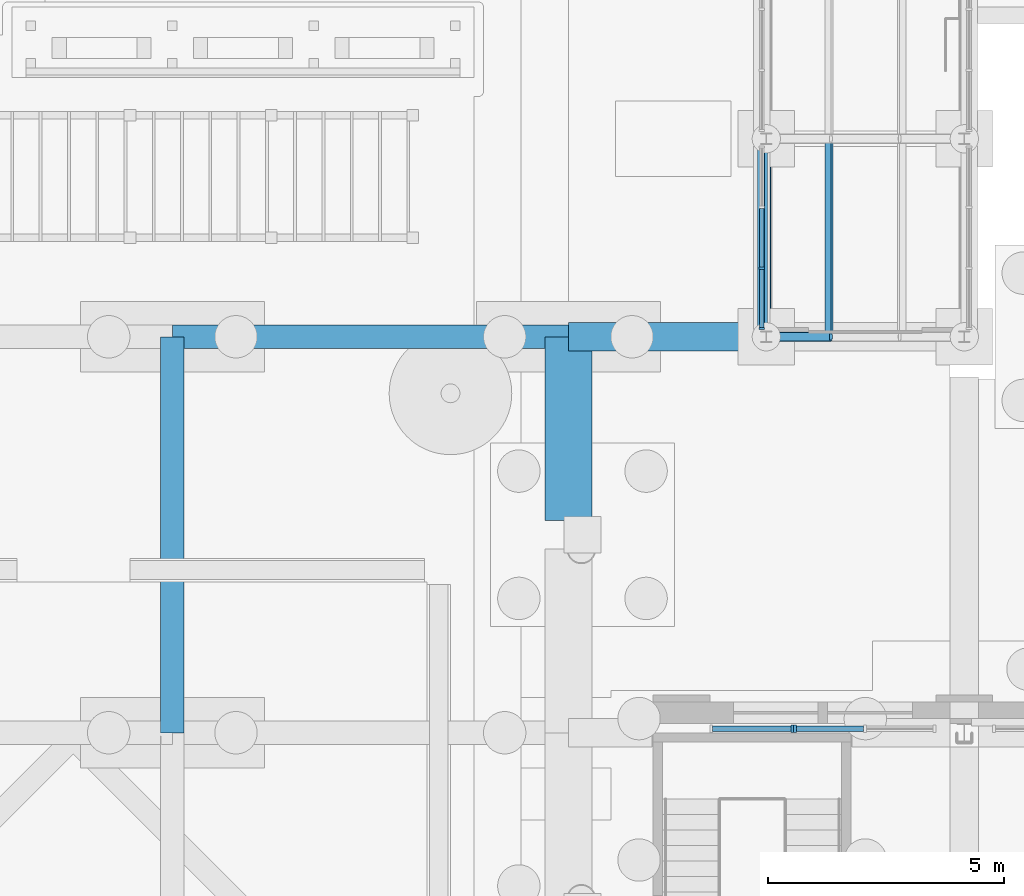
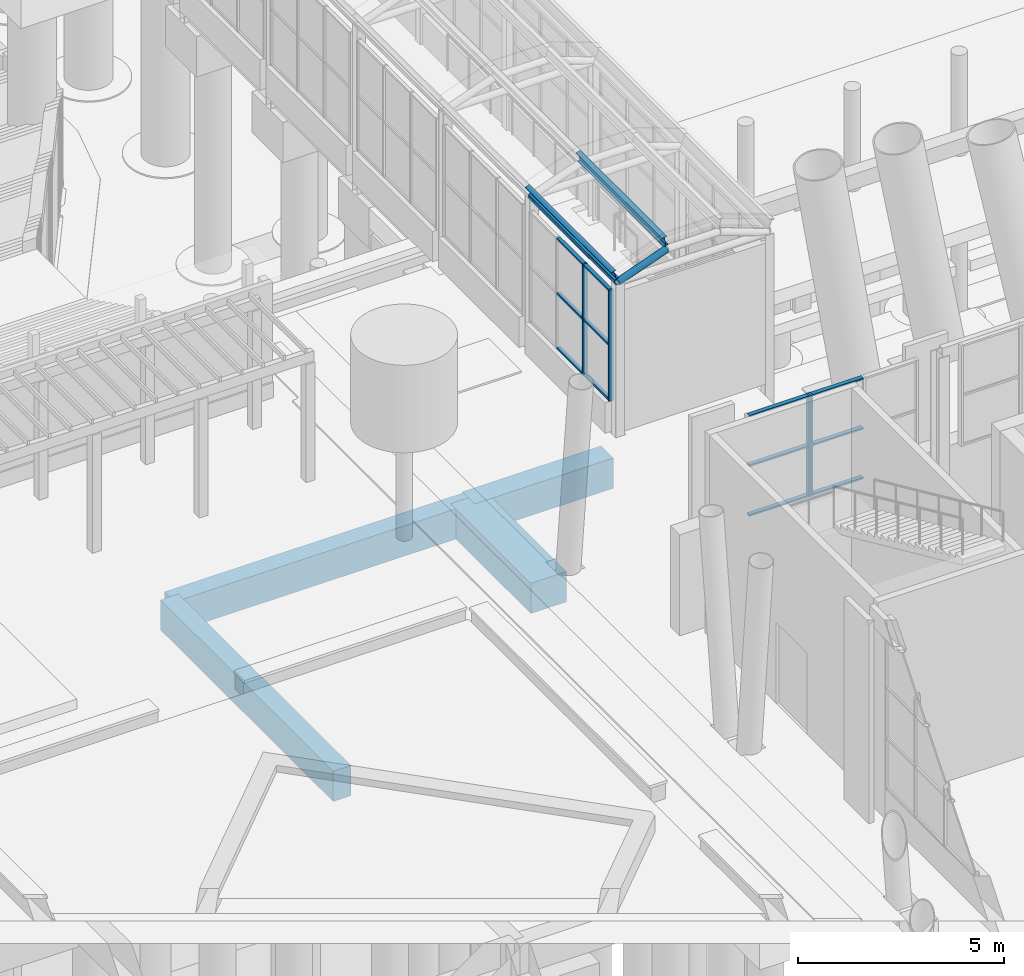
# One storey, part 49 of 222: 18 members, 6 beams, 3 elements without a shape of their own.
"""IFC4 building model written with IfcOpenShell, lengths in metres."""

from ifc_helpers import new_model, si_unit, direction, frame, origin, origin_2d, place, context, subcontext, project, spatial, rectangle, hollow_circle, i_section, extrude, material, material_profile, profile_set, type_object, element, aggregate, save


model = new_model("IFC4")

# Units and contexts
model_context = context("Model", 3, precision=1e-05, world=origin(), true_north=direction((0.0, 1.0)))
body_context = subcontext(model_context, "Body", "Model", "MODEL_VIEW")
ifc_project = project(units=[si_unit("LENGTHUNIT", "METRE"), si_unit("AREAUNIT", "SQUARE_METRE"), si_unit("VOLUMEUNIT", "CUBIC_METRE"), si_unit("PLANEANGLEUNIT", "RADIAN"), si_unit("MASSUNIT", "GRAM", prefix="KILO")], contexts=[model_context])

# Site, building, storey
site_placement = place(None, origin())
site = spatial("IfcSite", under=ifc_project, at=site_placement, CompositionType="ELEMENT")
building_placement = place(site_placement, origin())
building = spatial("IfcBuilding", under=site, at=building_placement, Name="Sava Quay Ferry Terminal", CompositionType="ELEMENT")
storey_placement = place(building_placement, origin())
storey = spatial("IfcBuildingStorey", under=building, at=storey_placement, Name="L00", CompositionType="ELEMENT", Elevation=0.0)

# Beam
ifc_material_1 = material(Name="Steel S355", Category="steel")
ifc_material_profile_1 = material_profile(ifc_material_1, hollow_circle(Radius=0.096923828125, WallThickness=0.008056640625, at=origin_2d()), Name="CHS 193.7 x 8.0")
ifc_profile_set_1 = profile_set([ifc_material_profile_1], Name="Steel S355")
beam_type_1 = type_object("IfcBeamType", Name="Gallery eave beam CHS 193.7x8", PredefinedType="BEAM", material=ifc_profile_set_1)
beam_1_placement = place(storey_placement, frame((46.199951171875, 109.199951171875, 4.5), z_axis=(0.0, 1.0, 0.0), x_axis=(-1.0, 0.0, 0.0)))
element("IfcBeam", 1, at=beam_1_placement, inside=storey, type_object=beam_type_1, Name="Boarding gallery B1 eave beam L1", PredefinedType="BEAM", context=body_context, shape_type="SweptSolid", body=[
    extrude(hollow_circle(Radius=0.096923828125, WallThickness=0.008056640625, at=origin_2d()), origin(), (0.0, 0.0, 1.0), 4.199951171875),
])

# Members
ifc_material_2 = material(Name="Steel S355", Category="steel")
ifc_material_profile_2 = material_profile(ifc_material_2, i_section(OverallWidth=0.135009765625, OverallDepth=0.27001953125, WebThickness=0.006591796875, FlangeThickness=0.01025390625, at=origin_2d()), Name="IPE 270")
ifc_profile_set_2 = profile_set([ifc_material_profile_2], Name="Steel S355")
member_type_1 = type_object("IfcMemberType", Name="Gallery purlin IPE 270", PredefinedType="PURLIN", material=ifc_profile_set_2)
for number, where, z_axis, x_axis, name in (
    (2, (46.12060546875, 109.199951171875, 4.718017578125), (0.0, 1.0, 0.0), (-0.939692620786, 0.0, -0.342020143326), "Boarding gallery B1 edge purlin bay 1 V0"),
    (3, (47.52978515625, 109.199951171875, 5.230712890625), (0.0, 1.0, 0.0), (-0.984807753012, 0.0, -0.173648177667), "Boarding gallery B1 purlin bay 1 V1"),
):
    element("IfcMember", number, at=place(storey_placement, frame(where, z_axis=z_axis, x_axis=x_axis)), inside=storey, type_object=member_type_1, Name=name, PredefinedType="PURLIN", context=body_context, shape_type="SweptSolid", body=[
        extrude(i_section(OverallWidth=0.135009765625, OverallDepth=0.27001953125, WebThickness=0.006591796875, FlangeThickness=0.01025390625, at=origin_2d()), origin(), (0.0, 0.0, 1.0), 4.199951171875),
    ])

# Beam
ifc_material_3 = material(Name="Steel S355", Category="steel")
ifc_material_profile_3 = material_profile(ifc_material_3, hollow_circle(Radius=0.096923828125, WallThickness=0.008056640625, at=origin_2d()), Name="CHS 193.7 x 8.0")
ifc_profile_set_3 = profile_set([ifc_material_profile_3], Name="Steel S355")
beam_type_2 = type_object("IfcBeamType", Name="Gallery rib CHS 193.7x8", PredefinedType="BEAM", material=ifc_profile_set_3)
beam_2_placement = place(storey_placement, frame((46.199951171875, 109.199951171875, 4.5), z_axis=(0.939710313144, 0.0, 0.341971530059), x_axis=(0.0, 1.0, 0.0)))
element("IfcBeam", 4, at=beam_2_placement, inside=storey, type_object=beam_type_2, Name="Boarding gallery B1 arch rib R0 seg 1", PredefinedType="BEAM", context=body_context, shape_type="SweptSolid", body=[
    extrude(hollow_circle(Radius=0.096923828125, WallThickness=0.008056640625, at=origin_2d()), origin(), (0.0, 0.0, 1.0), 1.45849609375),
])

# Curtain wall, members
ifc_material_4 = material(Name="Aluminium and glass curtain wall, double glazed", Category="aluminium")
curtain_wall_type_1 = type_object("IfcCurtainWallType", Name="Curtain wall CW-B gallery", PredefinedType="NOTDEFINED", material=ifc_material_4)
curtain_wall_1_placement = place(storey_placement, origin())
curtain_wall_1 = element("IfcCurtainWall", 5, at=curtain_wall_1_placement, inside=storey, type_object=curtain_wall_type_1, Name="Curtain wall B1-W L00 bay 1", PredefinedType="NOTDEFINED")
ifc_material_5 = material(Name="Aluminium EN AW-6063 T6", Category="aluminium")
ifc_material_profile_4 = material_profile(ifc_material_5, rectangle(XDim=0.1201171875, YDim=0.050048828125, at=origin_2d()), Name="Mullion 50x120 aluminium")
ifc_profile_set_4 = profile_set([ifc_material_profile_4], Name="Aluminium EN AW-6063 T6")
member_type_2 = type_object("IfcMemberType", Name="Mullion 50x120 aluminium", PredefinedType="MULLION", material=ifc_profile_set_4)
member_1_placement = place(storey_placement, frame((46.10009765625, 109.375, 0.89990234375), z_axis=(0.0, 0.0, 1.0), x_axis=(-1.0, 0.0, 0.0)))
member_1 = element("IfcMember", 6, at=member_1_placement, type_object=member_type_2, Name="CW13 mullion 1", PredefinedType="MULLION", context=body_context, shape_type="SweptSolid", body=[
    extrude(rectangle(XDim=0.1201171875, YDim=0.050048828125, at=origin_2d()), origin(), (0.0, 0.0, 1.0), 3.300048828125),
])
member_2_placement = place(storey_placement, frame((46.10009765625, 110.64990234375, 0.89990234375), z_axis=(0.0, 0.0, 1.0), x_axis=(-1.0, 0.0, 0.0)))
member_2 = element("IfcMember", 7, at=member_2_placement, type_object=member_type_2, Name="CW13 mullion 2", PredefinedType="MULLION", context=body_context, shape_type="SweptSolid", body=[
    extrude(rectangle(XDim=0.1201171875, YDim=0.050048828125, at=origin_2d()), origin(), (0.0, 0.0, 1.0), 3.300048828125),
])

# Curtain wall, member
ifc_material_6 = material(Name="Aluminium and glass curtain wall, double low-e glazed", Category="aluminium")
curtain_wall_type_2 = type_object("IfcCurtainWallType", Name="Curtain wall CW-G gable", PredefinedType="NOTDEFINED", material=ifc_material_6)
curtain_wall_2_placement = place(storey_placement, origin())
curtain_wall_2 = element("IfcCurtainWall", 8, at=curtain_wall_2_placement, inside=storey, type_object=curtain_wall_type_2, Name="Curtain wall D-N L00 bay 1", PredefinedType="NOTDEFINED")
ifc_material_7 = material(Name="Aluminium EN AW-6063 T6", Category="aluminium")
ifc_material_profile_5 = material_profile(ifc_material_7, rectangle(XDim=0.14990234375, YDim=0.06005859375, at=origin_2d()), Name="Mullion 60x150 aluminium")
ifc_profile_set_5 = profile_set([ifc_material_profile_5], Name="Aluminium EN AW-6063 T6")
member_type_3 = type_object("IfcMemberType", Name="Mullion 60x150 aluminium", PredefinedType="MULLION", material=ifc_profile_set_5)
member_3_placement = place(storey_placement, frame((46.75, 100.885009765625, 3.0), z_axis=(0.0, 0.0, 1.0), x_axis=(0.0, 1.0, 0.0)))
member_3 = element("IfcMember", 9, at=member_3_placement, type_object=member_type_3, Name="CW54 mullion 2", PredefinedType="MULLION", context=body_context, shape_type="SweptSolid", body=[
    extrude(rectangle(XDim=0.14990234375, YDim=0.06005859375, at=origin_2d()), origin(), (0.0, 0.0, 1.0), 3.0),
])

curtain_wall_3_placement = place(storey_placement, origin())
curtain_wall_3 = element("IfcCurtainWall", 10, at=curtain_wall_3_placement, inside=storey, type_object=curtain_wall_type_2, Name="Curtain wall D-N L00 bay 11", PredefinedType="NOTDEFINED")
member_4_placement = place(storey_placement, frame((46.81005859375, 100.885009765625, 3.0), z_axis=(0.0, 0.0, 1.0), x_axis=(0.0, 1.0, 0.0)))
member_4 = element("IfcMember", 11, at=member_4_placement, type_object=member_type_3, Name="CW57 mullion 1", PredefinedType="MULLION", context=body_context, shape_type="SweptSolid", body=[
    extrude(rectangle(XDim=0.14990234375, YDim=0.06005859375, at=origin_2d()), origin(), (0.0, 0.0, 1.0), 3.0),
])

# Beams
ifc_material_8 = material(Name="Concrete C40/50", Category="concrete")
ifc_material_profile_6 = material_profile(ifc_material_8, rectangle(XDim=1.0, YDim=0.89990234375, at=origin_2d()), Name="RC 1000x900")
ifc_profile_set_6 = profile_set([ifc_material_profile_6], Name="Concrete C40/50")
beam_type_3 = type_object("IfcBeamType", Name="RC deck beam 1000x900", PredefinedType="BEAM", material=ifc_profile_set_6)
beam_3_placement = place(storey_placement, frame((42.0, 105.300048828125, -0.89990234375), z_axis=(0.0, 1.0, 0.0), x_axis=(-1.0, 0.0, 0.0)))
element("IfcBeam", 12, at=beam_3_placement, inside=storey, type_object=beam_type_3, Name="Deck beam Y42-100.8", PredefinedType="BEAM", context=body_context, shape_type="SweptSolid", body=[
    extrude(rectangle(XDim=1.0, YDim=0.89990234375, at=origin_2d()), origin(), (0.0, 0.0, 1.0), 3.89990234375),
])
ifc_material_9 = material(Name="Concrete C40/50", Category="concrete")
ifc_material_profile_7 = material_profile(ifc_material_9, rectangle(XDim=0.5, YDim=0.89990234375, at=origin_2d()), Name="RC 500x900")
ifc_profile_set_7 = profile_set([ifc_material_profile_7], Name="Concrete C40/50")
beam_type_4 = type_object("IfcBeamType", Name="RC deck beam 500x900", PredefinedType="BEAM", material=ifc_profile_set_7)
for number, where, z_axis, x_axis, name in (
    (13, (33.60009765625, 109.199951171875, -0.89990234375), (1.0, 0.0, 0.0), (0.0, 1.0, 0.0), "Deck beam X109.2-33.6"),
    (14, (33.60009765625, 100.800048828125, -0.89990234375), (0.0, 1.0, 0.0), (-1.0, 0.0, 0.0), "Deck beam Y33.6-100.8"),
):
    element("IfcBeam", number, at=place(storey_placement, frame(where, z_axis=z_axis, x_axis=x_axis)), inside=storey, type_object=beam_type_4, Name=name, PredefinedType="BEAM", context=body_context, shape_type="SweptSolid", body=[
        extrude(rectangle(XDim=0.5, YDim=0.89990234375, at=origin_2d()), origin(), (0.0, 0.0, 1.0), 8.39990234375),
    ])
ifc_material_10 = material(Name="Concrete C40/50", Category="concrete")
ifc_material_profile_8 = material_profile(ifc_material_10, rectangle(XDim=0.60009765625, YDim=0.89990234375, at=origin_2d()), Name="RC 600x900")
ifc_profile_set_8 = profile_set([ifc_material_profile_8], Name="Concrete C40/50")
beam_type_5 = type_object("IfcBeamType", Name="RC deck beam 600x900", PredefinedType="BEAM", material=ifc_profile_set_8)
beam_4_placement = place(storey_placement, frame((42.0, 109.199951171875, -0.89990234375), z_axis=(1.0, 0.0, 0.0), x_axis=(0.0, 1.0, 0.0)))
element("IfcBeam", 15, at=beam_4_placement, inside=storey, type_object=beam_type_5, Name="Deck beam X109.2-42", PredefinedType="BEAM", context=body_context, shape_type="SweptSolid", body=[
    extrude(rectangle(XDim=0.60009765625, YDim=0.89990234375, at=origin_2d()), origin(), (0.0, 0.0, 1.0), 3.89990234375),
])

# Member
ifc_material_11 = material(Name="Aluminium EN AW-6063 T6", Category="aluminium")
ifc_material_profile_9 = material_profile(ifc_material_11, rectangle(XDim=0.10009765625, YDim=0.050048828125, at=origin_2d()), Name="Transom 50x100 aluminium")
ifc_profile_set_9 = profile_set([ifc_material_profile_9], Name="Aluminium EN AW-6063 T6")
member_type_4 = type_object("IfcMemberType", Name="Transom 50x100 aluminium", PredefinedType="USERDEFINED", material=ifc_profile_set_9)
member_5_placement = place(storey_placement, frame((46.10009765625, 109.39990234375, 0.925048828125), z_axis=(0.0, 1.0, 0.0), x_axis=(-1.0, 0.0, 0.0)))
member_5 = element("IfcMember", 16, at=member_5_placement, type_object=member_type_4, Name="CW13 transom 1.1", ObjectType="TRANSOM", PredefinedType="USERDEFINED", context=body_context, shape_type="SweptSolid", body=[
    extrude(rectangle(XDim=0.10009765625, YDim=0.050048828125, at=origin_2d()), origin(), (0.0, 0.0, 1.0), 1.22509765625),
])

member_6_placement = place(storey_placement, frame((46.10009765625, 109.39990234375, 2.550048828125), z_axis=(0.0, 1.0, 0.0), x_axis=(-1.0, 0.0, 0.0)))
member_6 = element("IfcMember", 17, at=member_6_placement, type_object=member_type_4, Name="CW13 transom 1.2", ObjectType="TRANSOM", PredefinedType="USERDEFINED", context=body_context, shape_type="SweptSolid", body=[
    extrude(rectangle(XDim=0.10009765625, YDim=0.050048828125, at=origin_2d()), origin(), (0.0, 0.0, 1.0), 1.22509765625),
])

member_7_placement = place(storey_placement, frame((46.10009765625, 109.39990234375, 4.175048828125), z_axis=(0.0, 1.0, 0.0), x_axis=(-1.0, 0.0, 0.0)))
member_7 = element("IfcMember", 18, at=member_7_placement, type_object=member_type_4, Name="CW13 transom 1.3", ObjectType="TRANSOM", PredefinedType="USERDEFINED", context=body_context, shape_type="SweptSolid", body=[
    extrude(rectangle(XDim=0.10009765625, YDim=0.050048828125, at=origin_2d()), origin(), (0.0, 0.0, 1.0), 1.22509765625),
])

member_8_placement = place(storey_placement, frame((46.10009765625, 110.675048828125, 0.925048828125), z_axis=(0.0, 1.0, 0.0), x_axis=(-1.0, 0.0, 0.0)))
member_8 = element("IfcMember", 19, at=member_8_placement, type_object=member_type_4, Name="CW13 transom 2.1", ObjectType="TRANSOM", PredefinedType="USERDEFINED", context=body_context, shape_type="SweptSolid", body=[
    extrude(rectangle(XDim=0.10009765625, YDim=0.050048828125, at=origin_2d()), origin(), (0.0, 0.0, 1.0), 1.25),
])

member_9_placement = place(storey_placement, frame((46.10009765625, 110.675048828125, 2.550048828125), z_axis=(0.0, 1.0, 0.0), x_axis=(-1.0, 0.0, 0.0)))
member_9 = element("IfcMember", 20, at=member_9_placement, type_object=member_type_4, Name="CW13 transom 2.2", ObjectType="TRANSOM", PredefinedType="USERDEFINED", context=body_context, shape_type="SweptSolid", body=[
    extrude(rectangle(XDim=0.10009765625, YDim=0.050048828125, at=origin_2d()), origin(), (0.0, 0.0, 1.0), 1.25),
])

member_10_placement = place(storey_placement, frame((46.10009765625, 110.675048828125, 4.175048828125), z_axis=(0.0, 1.0, 0.0), x_axis=(-1.0, 0.0, 0.0)))
member_10 = element("IfcMember", 21, at=member_10_placement, type_object=member_type_4, Name="CW13 transom 2.3", ObjectType="TRANSOM", PredefinedType="USERDEFINED", context=body_context, shape_type="SweptSolid", body=[
    extrude(rectangle(XDim=0.10009765625, YDim=0.050048828125, at=origin_2d()), origin(), (0.0, 0.0, 1.0), 1.25),
])

aggregate(curtain_wall_1, [member_1, member_2, member_5, member_6, member_7, member_8, member_9, member_10])

ifc_material_12 = material(Name="Aluminium EN AW-6063 T6", Category="aluminium")
ifc_material_profile_10 = material_profile(ifc_material_12, rectangle(XDim=0.1201171875, YDim=0.050048828125, at=origin_2d()), Name="Transom 50x120 aluminium")
ifc_profile_set_10 = profile_set([ifc_material_profile_10], Name="Aluminium EN AW-6063 T6")
member_type_5 = type_object("IfcMemberType", Name="Transom 50x120 aluminium", PredefinedType="USERDEFINED", material=ifc_profile_set_10)
member_11_placement = place(storey_placement, frame((45.06005859375, 100.885009765625, 3.02490234375), z_axis=(1.0, 0.0, 0.0), x_axis=(0.0, 1.0, 0.0)))
member_11 = element("IfcMember", 22, at=member_11_placement, type_object=member_type_5, Name="CW54 transom 1.1", ObjectType="TRANSOM", PredefinedType="USERDEFINED", context=body_context, shape_type="SweptSolid", body=[
    extrude(rectangle(XDim=0.1201171875, YDim=0.050048828125, at=origin_2d()), origin(), (0.0, 0.0, 1.0), 1.659912109375),
])

member_12_placement = place(storey_placement, frame((45.06005859375, 100.885009765625, 4.5), z_axis=(1.0, 0.0, 0.0), x_axis=(0.0, 1.0, 0.0)))
member_12 = element("IfcMember", 23, at=member_12_placement, type_object=member_type_5, Name="CW54 transom 1.2", ObjectType="TRANSOM", PredefinedType="USERDEFINED", context=body_context, shape_type="SweptSolid", body=[
    extrude(rectangle(XDim=0.1201171875, YDim=0.050048828125, at=origin_2d()), origin(), (0.0, 0.0, 1.0), 1.659912109375),
])

member_13_placement = place(storey_placement, frame((45.06005859375, 100.885009765625, 5.97509765625), z_axis=(1.0, 0.0, 0.0), x_axis=(0.0, 1.0, 0.0)))
member_13 = element("IfcMember", 24, at=member_13_placement, type_object=member_type_5, Name="CW54 transom 1.3", ObjectType="TRANSOM", PredefinedType="USERDEFINED", context=body_context, shape_type="SweptSolid", body=[
    extrude(rectangle(XDim=0.1201171875, YDim=0.050048828125, at=origin_2d()), origin(), (0.0, 0.0, 1.0), 1.659912109375),
])

aggregate(curtain_wall_2, [member_3, member_11, member_12, member_13])

member_14_placement = place(storey_placement, frame((46.840087890625, 100.885009765625, 3.02490234375), z_axis=(1.0, 0.0, 0.0), x_axis=(0.0, 1.0, 0.0)))
member_14 = element("IfcMember", 25, at=member_14_placement, type_object=member_type_5, Name="CW57 transom 1.1", ObjectType="TRANSOM", PredefinedType="USERDEFINED", context=body_context, shape_type="SweptSolid", body=[
    extrude(rectangle(XDim=0.1201171875, YDim=0.050048828125, at=origin_2d()), origin(), (0.0, 0.0, 1.0), 1.419921875),
])

member_15_placement = place(storey_placement, frame((46.840087890625, 100.885009765625, 4.5), z_axis=(1.0, 0.0, 0.0), x_axis=(0.0, 1.0, 0.0)))
member_15 = element("IfcMember", 26, at=member_15_placement, type_object=member_type_5, Name="CW57 transom 1.2", ObjectType="TRANSOM", PredefinedType="USERDEFINED", context=body_context, shape_type="SweptSolid", body=[
    extrude(rectangle(XDim=0.1201171875, YDim=0.050048828125, at=origin_2d()), origin(), (0.0, 0.0, 1.0), 1.419921875),
])

member_16_placement = place(storey_placement, frame((46.840087890625, 100.885009765625, 5.97509765625), z_axis=(1.0, 0.0, 0.0), x_axis=(0.0, 1.0, 0.0)))
member_16 = element("IfcMember", 27, at=member_16_placement, type_object=member_type_5, Name="CW57 transom 1.3", ObjectType="TRANSOM", PredefinedType="USERDEFINED", context=body_context, shape_type="SweptSolid", body=[
    extrude(rectangle(XDim=0.1201171875, YDim=0.050048828125, at=origin_2d()), origin(), (0.0, 0.0, 1.0), 1.419921875),
])

aggregate(curtain_wall_3, [member_4, member_14, member_15, member_16])

save(model, "model.ifc")
